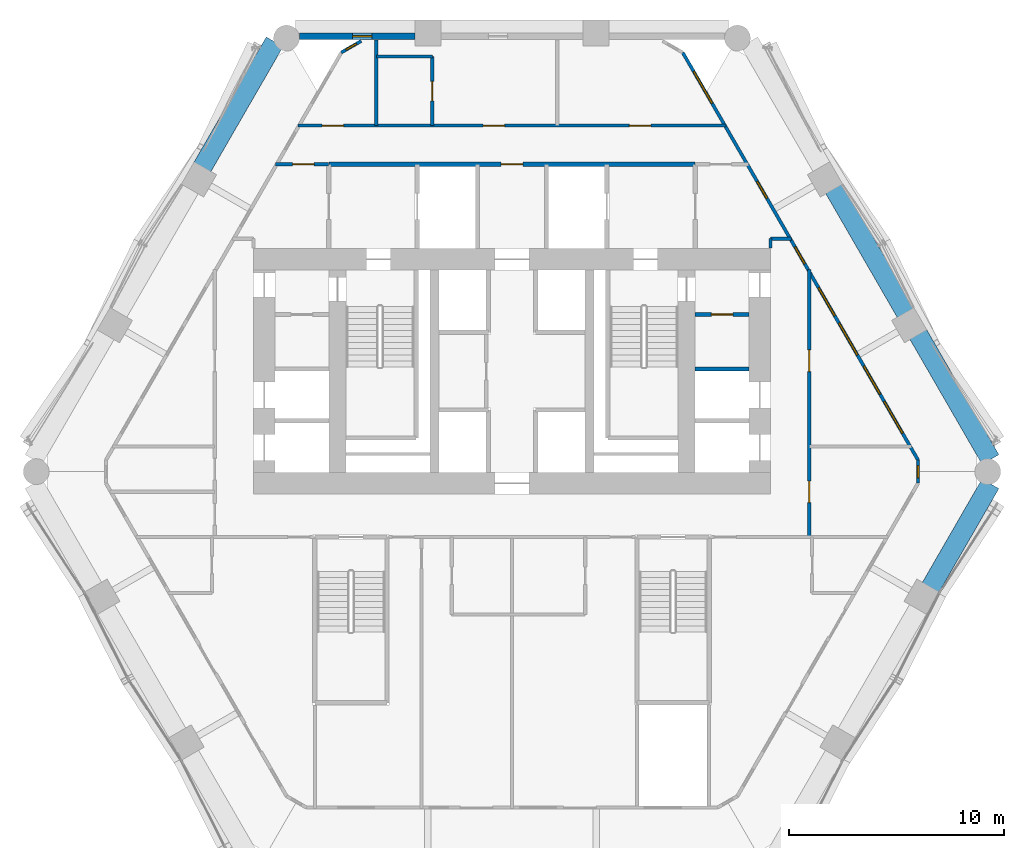
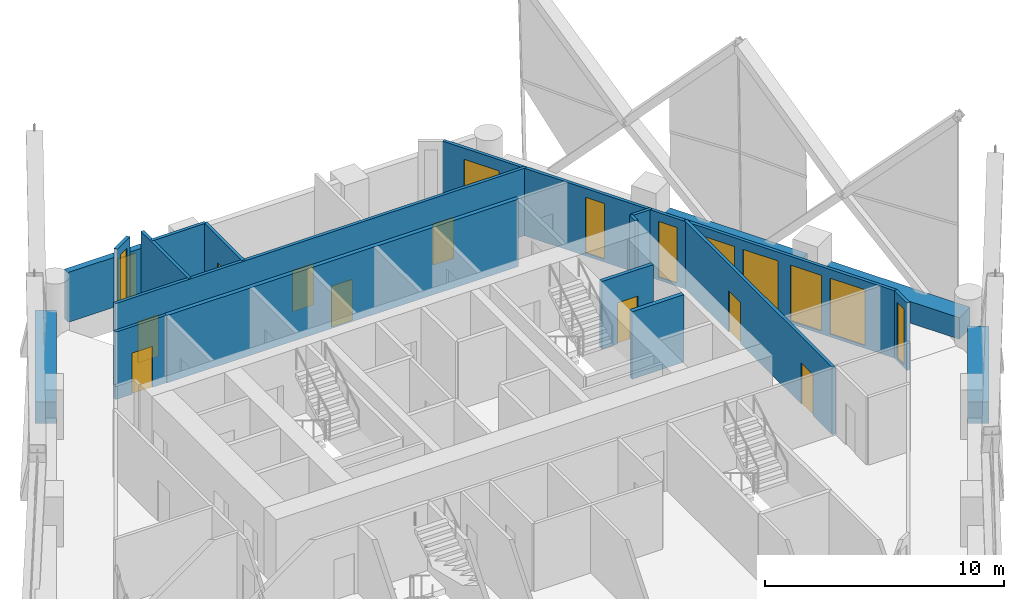
# One storey, part 15 of 21: 19 walls, 10 windows, 9 doors, 19 openings.
"""IFC4 building model written with IfcOpenShell, lengths in metres."""

from ifc_helpers import new_model, si_unit, direction, frame, frame_2d, origin, place, context, subcontext, project, spatial, rectangle, extrude, material, layer, layer_set, type_object, element, fill, save


model = new_model("IFC4")

# Units and contexts
model_context = context("Model", 3, precision=1e-05, world=origin(), true_north=direction((0.0, 1.0)))
body_context = subcontext(model_context, "Body", "Model", "MODEL_VIEW")
ifc_project = project(units=[si_unit("LENGTHUNIT", "METRE"), si_unit("AREAUNIT", "SQUARE_METRE"), si_unit("VOLUMEUNIT", "CUBIC_METRE"), si_unit("PLANEANGLEUNIT", "RADIAN"), si_unit("MASSUNIT", "GRAM", prefix="KILO")], contexts=[model_context])

# Site, building, storey
site_placement = place(None, origin())
site = spatial("IfcSite", under=ifc_project, at=site_placement, CompositionType="ELEMENT")
building_placement = place(site_placement, origin())
building = spatial("IfcBuilding", under=site, at=building_placement, Name="Ostrander Bayou Hotel Tower", CompositionType="ELEMENT")
storey_placement = place(building_placement, frame((0.0, 0.0, 116.0)))
storey = spatial("IfcBuildingStorey", under=building, at=storey_placement, Name="L28", CompositionType="ELEMENT", Elevation=116.0)

# Wall, openings, windows
ifc_material_1 = material(Name="Aluminium framed insulated wall", Category="aluminium")
ifc_layer_1 = layer(ifc_material_1, 0.14990234375)
ifc_layer_set_1 = layer_set([ifc_layer_1], Name="GW1 glass-line wall 150 mm")
wall_type_1 = type_object("IfcWallType", Name="GW1 glass-line wall 150 mm", PredefinedType="SOLIDWALL", material=ifc_layer_set_1)
wall_1_placement = place(storey_placement, frame((18.8515625, -0.133056640625, 0.0), z_axis=(0.0, 0.0, 1.0), x_axis=(-0.499994842654, 0.866028381359, 0.0)))
wall_1 = element("IfcWall", 1, at=wall_1_placement, inside=storey, type_object=wall_type_1, Name="GW1 L28 NE 1", PredefinedType="SOLIDWALL", context=body_context, shape_type="SweptSolid", body=[
    extrude(rectangle(XDim=21.853271484375, YDim=0.14990234375, at=frame_2d((10.9267578125, 0.0))), origin(), (0.0, 0.0, 1.0), 3.449951171875),
])
opening_1_placement = place(wall_1_placement, frame((1.44091796875, 0.0, 0.14990234375)))
opening_1 = element("IfcOpeningElement", 2, at=opening_1_placement, cuts=wall_1, Name="Opening W2", PredefinedType="OPENING", context=body_context, shape_type="SweptSolid", body=[
    extrude(rectangle(XDim=1.699951171875, YDim=2.85009765625, at=frame_2d((0.85009765625, 1.425048828125))), frame((0.0, 0.074951171875, 0.0), z_axis=(0.0, -1.0, 0.0), x_axis=(1.0, 0.0, 0.0)), (0.0, 0.0, 1.0), 0.14990234375),
])
opening_2_placement = place(wall_1_placement, frame((3.541015625, 0.0, 0.14990234375)))
opening_2 = element("IfcOpeningElement", 3, at=opening_2_placement, cuts=wall_1, Name="Opening W12", PredefinedType="OPENING", context=body_context, shape_type="SweptSolid", body=[
    extrude(rectangle(XDim=1.5, YDim=2.85009765625, at=frame_2d((0.75, 1.425048828125))), frame((0.0, 0.074951171875, 0.0), z_axis=(0.0, -1.0, 0.0), x_axis=(1.0, 0.0, 0.0)), (0.0, 0.0, 1.0), 0.14990234375),
])
opening_3_placement = place(wall_1_placement, frame((5.64111328125, 0.0, 0.14990234375)))
opening_3 = element("IfcOpeningElement", 4, at=opening_3_placement, cuts=wall_1, Name="Opening W2", PredefinedType="OPENING", context=body_context, shape_type="SweptSolid", body=[
    extrude(rectangle(XDim=1.699951171875, YDim=2.85009765625, at=frame_2d((0.85009765625, 1.425048828125))), frame((0.0, 0.074951171875, 0.0), z_axis=(0.0, -1.0, 0.0), x_axis=(1.0, 0.0, 0.0)), (0.0, 0.0, 1.0), 0.14990234375),
])
opening_4_placement = place(wall_1_placement, frame((7.740966796875, 0.0, 0.14990234375)))
opening_4 = element("IfcOpeningElement", 5, at=opening_4_placement, cuts=wall_1, Name="Opening W12", PredefinedType="OPENING", context=body_context, shape_type="SweptSolid", body=[
    extrude(rectangle(XDim=1.5, YDim=2.85009765625, at=frame_2d((0.75, 1.425048828125))), frame((0.0, 0.074951171875, 0.0), z_axis=(0.0, -1.0, 0.0), x_axis=(1.0, 0.0, 0.0)), (0.0, 0.0, 1.0), 0.14990234375),
])
opening_5_placement = place(wall_1_placement, frame((10.531494140625, 0.0, 0.14990234375)))
opening_5 = element("IfcOpeningElement", 6, at=opening_5_placement, cuts=wall_1, Name="Opening W16", PredefinedType="OPENING", context=body_context, shape_type="SweptSolid", body=[
    extrude(rectangle(XDim=0.89990234375, YDim=2.85009765625, at=frame_2d((0.449951171875, 1.425048828125))), frame((0.0, 0.074951171875, 0.0), z_axis=(0.0, -1.0, 0.0), x_axis=(1.0, 0.0, 0.0)), (0.0, 0.0, 1.0), 0.14990234375),
])
opening_6_placement = place(wall_1_placement, frame((14.041015625, 0.0, 0.14990234375)))
opening_6 = element("IfcOpeningElement", 7, at=opening_6_placement, cuts=wall_1, Name="Opening W16", PredefinedType="OPENING", context=body_context, shape_type="SweptSolid", body=[
    extrude(rectangle(XDim=0.89990234375, YDim=2.85009765625, at=frame_2d((0.449951171875, 1.425048828125))), frame((0.0, 0.074951171875, 0.0), z_axis=(0.0, -1.0, 0.0), x_axis=(1.0, 0.0, 0.0)), (0.0, 0.0, 1.0), 0.14990234375),
])
opening_7_placement = place(wall_1_placement, frame((19.131591796875, 0.0, 0.14990234375)))
opening_7 = element("IfcOpeningElement", 8, at=opening_7_placement, cuts=wall_1, Name="Opening W2", PredefinedType="OPENING", context=body_context, shape_type="SweptSolid", body=[
    extrude(rectangle(XDim=1.699951171875, YDim=2.72998046875, at=frame_2d((0.85009765625, 1.364990234375))), frame((0.0, 0.074951171875, 0.0), z_axis=(0.0, -1.0, 0.0), x_axis=(1.0, 0.0, 0.0)), (0.0, 0.0, 1.0), 0.14990234375),
])
ifc_material_2 = material(Name="Aluminium and clear glass", Category="aluminium")
window_type_1 = type_object("IfcWindowType", Name="W12 fixed window 1500 mm, bath bay, zone 2", PartitioningType="SINGLE_PANEL", PredefinedType="WINDOW", material=ifc_material_2)
window_1_placement = place(opening_2_placement, origin())
window_1 = element("IfcWindow", 9, at=window_1_placement, inside=storey, type_object=window_type_1, Name="W12 L28 NE 1", OverallHeight=2.85009765625, OverallWidth=1.5, PartitioningType="SINGLE_PANEL", PredefinedType="WINDOW", context=body_context, shape_type="SweptSolid", body=[
    extrude(rectangle(XDim=1.5, YDim=2.85009765625, at=frame_2d((0.75, 1.425048828125))), frame((0.0, 0.030029296875, 0.0), z_axis=(0.0, -1.0, 0.0), x_axis=(1.0, 0.0, 0.0)), (0.0, 0.0, 1.0), 0.06005859375),
])
fill(opening_2, window_1)
window_2_placement = place(opening_4_placement, origin())
window_2 = element("IfcWindow", 10, at=window_2_placement, inside=storey, type_object=window_type_1, Name="W12 L28 NE 2", OverallHeight=2.85009765625, OverallWidth=1.5, PartitioningType="SINGLE_PANEL", PredefinedType="WINDOW", context=body_context, shape_type="SweptSolid", body=[
    extrude(rectangle(XDim=1.5, YDim=2.85009765625, at=frame_2d((0.75, 1.425048828125))), frame((0.0, 0.030029296875, 0.0), z_axis=(0.0, -1.0, 0.0), x_axis=(1.0, 0.0, 0.0)), (0.0, 0.0, 1.0), 0.06005859375),
])
fill(opening_4, window_2)
ifc_material_3 = material(Name="Aluminium and clear glass", Category="aluminium")
window_type_2 = type_object("IfcWindowType", Name="W16 window 900 mm, zone 2", PartitioningType="SINGLE_PANEL", PredefinedType="WINDOW", material=ifc_material_3)
window_3_placement = place(opening_5_placement, origin())
window_3 = element("IfcWindow", 11, at=window_3_placement, inside=storey, type_object=window_type_2, Name="W16 L28 NE 3", OverallHeight=2.85009765625, OverallWidth=0.89990234375, PartitioningType="SINGLE_PANEL", PredefinedType="WINDOW", context=body_context, shape_type="SweptSolid", body=[
    extrude(rectangle(XDim=0.89990234375, YDim=2.85009765625, at=frame_2d((0.449951171875, 1.425048828125))), frame((0.0, 0.030029296875, 0.0), z_axis=(0.0, -1.0, 0.0), x_axis=(1.0, 0.0, 0.0)), (0.0, 0.0, 1.0), 0.06005859375),
])
fill(opening_5, window_3)
window_4_placement = place(opening_6_placement, origin())
window_4 = element("IfcWindow", 12, at=window_4_placement, inside=storey, type_object=window_type_2, Name="W16 L28 NE 4", OverallHeight=2.85009765625, OverallWidth=0.89990234375, PartitioningType="SINGLE_PANEL", PredefinedType="WINDOW", context=body_context, shape_type="SweptSolid", body=[
    extrude(rectangle(XDim=0.89990234375, YDim=2.85009765625, at=frame_2d((0.449951171875, 1.425048828125))), frame((0.0, 0.030029296875, 0.0), z_axis=(0.0, -1.0, 0.0), x_axis=(1.0, 0.0, 0.0)), (0.0, 0.0, 1.0), 0.06005859375),
])
fill(opening_6, window_4)
ifc_material_4 = material(Name="Aluminium and clear glass", Category="aluminium")
window_type_3 = type_object("IfcWindowType", Name="W2 fixed window 1700 mm, zone 2", PartitioningType="SINGLE_PANEL", PredefinedType="WINDOW", material=ifc_material_4)
window_5_placement = place(opening_1_placement, origin())
window_5 = element("IfcWindow", 13, at=window_5_placement, inside=storey, type_object=window_type_3, Name="W2 L28 NE 1", OverallHeight=2.85009765625, OverallWidth=1.699951171875, PartitioningType="SINGLE_PANEL", PredefinedType="WINDOW", context=body_context, shape_type="SweptSolid", body=[
    extrude(rectangle(XDim=1.699951171875, YDim=2.85009765625, at=frame_2d((0.85009765625, 1.425048828125))), frame((0.0, 0.030029296875, 0.0), z_axis=(0.0, -1.0, 0.0), x_axis=(1.0, 0.0, 0.0)), (0.0, 0.0, 1.0), 0.06005859375),
])
fill(opening_1, window_5)
window_6_placement = place(opening_3_placement, origin())
window_6 = element("IfcWindow", 14, at=window_6_placement, inside=storey, type_object=window_type_3, Name="W2 L28 NE 2", OverallHeight=2.85009765625, OverallWidth=1.699951171875, PartitioningType="SINGLE_PANEL", PredefinedType="WINDOW", context=body_context, shape_type="SweptSolid", body=[
    extrude(rectangle(XDim=1.699951171875, YDim=2.85009765625, at=frame_2d((0.85009765625, 1.425048828125))), frame((0.0, 0.030029296875, 0.0), z_axis=(0.0, -1.0, 0.0), x_axis=(1.0, 0.0, 0.0)), (0.0, 0.0, 1.0), 0.06005859375),
])
fill(opening_3, window_6)
window_7_placement = place(opening_7_placement, origin())
window_7 = element("IfcWindow", 15, at=window_7_placement, inside=storey, type_object=window_type_3, Name="W2 L28 NE E21", OverallHeight=2.72998046875, OverallWidth=1.699951171875, PartitioningType="SINGLE_PANEL", PredefinedType="WINDOW", context=body_context, shape_type="SweptSolid", body=[
    extrude(rectangle(XDim=1.699951171875, YDim=2.72998046875, at=frame_2d((0.85009765625, 1.364990234375))), frame((0.0, 0.030029296875, 0.0), z_axis=(0.0, -1.0, 0.0), x_axis=(1.0, 0.0, 0.0)), (0.0, 0.0, 1.0), 0.06005859375),
])
fill(opening_7, window_7)

# Wall, opening, window
wall_2_placement = place(storey_placement, frame((-7.002685546875, 19.324951171875, 0.0), z_axis=(0.0, 0.0, 1.0), x_axis=(-0.866048165231, -0.499960573946, 0.0)))
wall_2 = element("IfcWall", 16, at=wall_2_placement, inside=storey, type_object=wall_type_1, Name="GW1 L28 corner 1", PredefinedType="SOLIDWALL", context=body_context, shape_type="SweptSolid", body=[
    extrude(rectangle(XDim=1.06494140625, YDim=0.14990234375, at=frame_2d((0.532470703125, 0.0))), origin(), (0.0, 0.0, 1.0), 3.449951171875),
])
opening_8_placement = place(wall_2_placement, frame((0.257568359375, 0.0, 0.14990234375)))
opening_8 = element("IfcOpeningElement", 17, at=opening_8_placement, cuts=wall_2, Name="Opening W19", PredefinedType="OPENING", context=body_context, shape_type="SweptSolid", body=[
    extrude(rectangle(XDim=0.550048828125, YDim=2.85009765625, at=frame_2d((0.27490234375, 1.425048828125))), frame((0.0, 0.074951171875, 0.0), z_axis=(0.0, -1.0, 0.0), x_axis=(1.0, 0.0, 0.0)), (0.0, 0.0, 1.0), 0.14990234375),
])
ifc_material_5 = material(Name="Aluminium and clear glass", Category="aluminium")
window_type_4 = type_object("IfcWindowType", Name="W19 corner window 550 mm", PartitioningType="SINGLE_PANEL", PredefinedType="WINDOW", material=ifc_material_5)
window_8_placement = place(opening_8_placement, origin())
window_8 = element("IfcWindow", 18, at=window_8_placement, inside=storey, type_object=window_type_4, Name="W19 L28 corner 1", OverallHeight=2.85009765625, OverallWidth=0.550048828125, PartitioningType="SINGLE_PANEL", PredefinedType="WINDOW", context=body_context, shape_type="SweptSolid", body=[
    extrude(rectangle(XDim=0.550048828125, YDim=2.85009765625, at=frame_2d((0.27490234375, 1.425048828125))), frame((0.0, 0.030029296875, 0.0), z_axis=(0.0, -1.0, 0.0), x_axis=(1.0, 0.0, 0.0)), (0.0, 0.0, 1.0), 0.06005859375),
])
fill(opening_8, window_8)

wall_3_placement = place(storey_placement, frame((18.8515625, -1.197998046875, 0.0), z_axis=(0.0, 0.0, 1.0), x_axis=(0.0, 1.0, 0.0)))
wall_3 = element("IfcWall", 19, at=wall_3_placement, inside=storey, type_object=wall_type_1, Name="GW1 L28 corner 5", PredefinedType="SOLIDWALL", context=body_context, shape_type="SweptSolid", body=[
    extrude(rectangle(XDim=1.06494140625, YDim=0.14990234375, at=frame_2d((0.532470703125, 0.0))), origin(), (0.0, 0.0, 1.0), 3.449951171875),
])
opening_9_placement = place(wall_3_placement, frame((0.257568359375, 0.0, 0.14990234375)))
opening_9 = element("IfcOpeningElement", 20, at=opening_9_placement, cuts=wall_3, Name="Opening W19", PredefinedType="OPENING", context=body_context, shape_type="SweptSolid", body=[
    extrude(rectangle(XDim=0.550048828125, YDim=2.85009765625, at=frame_2d((0.27490234375, 1.425048828125))), frame((0.0, 0.074951171875, 0.0), z_axis=(0.0, -1.0, 0.0), x_axis=(1.0, 0.0, 0.0)), (0.0, 0.0, 1.0), 0.14990234375),
])
window_9_placement = place(opening_9_placement, origin())
window_9 = element("IfcWindow", 21, at=window_9_placement, inside=storey, type_object=window_type_4, Name="W19 L28 corner 5", OverallHeight=2.85009765625, OverallWidth=0.550048828125, PartitioningType="SINGLE_PANEL", PredefinedType="WINDOW", context=body_context, shape_type="SweptSolid", body=[
    extrude(rectangle(XDim=0.550048828125, YDim=2.85009765625, at=frame_2d((0.27490234375, 1.425048828125))), frame((0.0, 0.030029296875, 0.0), z_axis=(0.0, -1.0, 0.0), x_axis=(1.0, 0.0, 0.0)), (0.0, 0.0, 1.0), 0.06005859375),
])
fill(opening_9, window_9)

ifc_material_6 = material(Name="Reconstituted stone on masonry backing", Category="masonry")
ifc_layer_2 = layer(ifc_material_6, 0.300048828125)
ifc_layer_set_2 = layer_set([ifc_layer_2], Name="NW1 north stone wall 300 mm")
wall_type_2 = type_object("IfcWallType", Name="NW1 north stone wall 300 mm", PredefinedType="SOLIDWALL", material=ifc_layer_set_2)
wall_4_placement = place(storey_placement, frame((-4.506591796875, 19.550048828125, 0.0), z_axis=(0.0, 0.0, 1.0), x_axis=(-1.0, 0.0, 0.0)))
wall_4 = element("IfcWall", 22, at=wall_4_placement, inside=storey, type_object=wall_type_2, Name="NW1 L28 N-3", PredefinedType="SOLIDWALL", context=body_context, shape_type="SweptSolid", body=[
    extrude(rectangle(XDim=5.368408203125, YDim=0.300048828125, at=frame_2d((2.68408203125, 0.0))), origin(), (0.0, 0.0, 1.0), 2.550048828125),
])
opening_10_placement = place(wall_4_placement, frame((1.993408203125, 0.0, 0.14990234375)))
opening_10 = element("IfcOpeningElement", 23, at=opening_10_placement, cuts=wall_4, Name="Opening W16", PredefinedType="OPENING", context=body_context, shape_type="SweptSolid", body=[
    extrude(rectangle(XDim=0.89990234375, YDim=2.14990234375, at=frame_2d((0.449951171875, 1.074951171875))), frame((0.0, 0.14990234375, 0.0), z_axis=(0.0, -1.0, 0.0), x_axis=(1.0, 0.0, 0.0)), (0.0, 0.0, 1.0), 0.300048828125),
])
window_10_placement = place(opening_10_placement, origin())
window_10 = element("IfcWindow", 24, at=window_10_placement, inside=storey, type_object=window_type_2, Name="W16 L28 north N-3", OverallHeight=2.14990234375, OverallWidth=0.89990234375, PartitioningType="SINGLE_PANEL", PredefinedType="WINDOW", context=body_context, shape_type="SweptSolid", body=[
    extrude(rectangle(XDim=0.89990234375, YDim=2.14990234375, at=frame_2d((0.449951171875, 1.074951171875))), frame((0.0, 0.030029296875, 0.0), z_axis=(0.0, -1.0, 0.0), x_axis=(1.0, 0.0, 0.0)), (0.0, 0.0, 1.0), 0.06005859375),
])
fill(opening_10, window_10)

# Walls
ifc_material_7 = material(Name="Concrete f'c 40 MPa", Category="concrete")
ifc_layer_3 = layer(ifc_material_7, 0.89990234375)
ifc_layer_set_3 = layer_set([ifc_layer_3], Name="PA1 stone-faced parapet 900 mm")
wall_type_3 = type_object("IfcWallType", Name="PA1 stone-faced parapet 900 mm", PredefinedType="PARAPET", material=ifc_layer_set_3)
for number, where, z_axis, x_axis, name in (
    (25, (-11.017333984375, 19.286376953125, 0.0), (0.0, 0.0, 1.0), (-0.500012951941, -0.866017925849, 0.0), "PA1 L28 NW-1"),
    (26, (22.211181640625, -0.101806640625, 0.0), (0.0, 0.0, 1.0), (-0.500012951941, 0.866017925849, 0.0), "PA1 L28 NE-1"),
):
    element("IfcWall", number, at=place(storey_placement, frame(where, z_axis=z_axis, x_axis=x_axis)), inside=storey, type_object=wall_type_3, Name=name, PredefinedType="PARAPET", context=body_context, shape_type="SweptSolid", body=[
        extrude(rectangle(XDim=6.717041015625, YDim=0.89990234375, at=frame_2d((3.3583984375, 0.0))), origin(), (0.0, 0.0, 1.0), 1.10009765625),
    ])
wall_5_placement = place(storey_placement, frame((18.28271484375, 6.702392578125, 0.0), z_axis=(0.0, 0.0, 1.0), x_axis=(-0.50001062018, 0.866019272134, 0.0)))
element("IfcWall", 27, at=wall_5_placement, inside=storey, type_object=wall_type_3, Name="PA1 L28 NE-2", PredefinedType="PARAPET", context=body_context, shape_type="SweptSolid", body=[
    extrude(rectangle(XDim=6.673583984375, YDim=0.89990234375, at=frame_2d((3.3369140625, 0.0))), origin(), (0.0, 0.0, 1.0), 1.10009765625),
])
ifc_material_8 = material(Name="Limestone masonry", Category="masonry")
ifc_layer_4 = layer(ifc_material_8, 0.89990234375)
ifc_layer_set_4 = layer_set([ifc_layer_4], Name="PA2 limestone parapet 900 mm")
wall_type_4 = type_object("IfcWallType", Name="PA2 limestone parapet 900 mm", PredefinedType="PARAPET", material=ifc_layer_set_4)
wall_6_placement = place(storey_placement, frame((19.428955078125, -6.048095703125, 0.0), z_axis=(0.0, 0.0, 1.0), x_axis=(0.49998957009, 0.866031425412, 0.0)))
element("IfcWall", 28, at=wall_6_placement, inside=storey, type_object=wall_type_4, Name="PA2 L28 SE-3", PredefinedType="PARAPET", context=body_context, shape_type="SweptSolid", body=[
    extrude(rectangle(XDim=5.564453125, YDim=0.89990234375, at=frame_2d((2.7822265625, 0.0))), origin(), (0.0, 0.0, 1.0), 1.10009765625),
])

# Wall, opening, door
ifc_material_9 = material(Name="Gypsum board partition", Category="finish")
ifc_layer_5 = layer(ifc_material_9, 0.175048828125)
ifc_layer_set_5 = layer_set([ifc_layer_5], Name="PT4 corridor wall 175 mm, 1 hour")
wall_type_5 = type_object("IfcWallType", Name="PT4 corridor wall 175 mm, 1 hour", PredefinedType="PARTITIONING", material=ifc_layer_set_5)
wall_7_placement = place(storey_placement, frame((8.5, 6.6298828125, 0.0), z_axis=(0.0, 0.0, 1.0), x_axis=(1.0, 0.0, 0.0)))
wall_7 = element("IfcWall", 29, at=wall_7_placement, inside=storey, type_object=wall_type_5, Name="cs:L28:038", PredefinedType="PARTITIONING", context=body_context, shape_type="SweptSolid", body=[
    extrude(rectangle(XDim=2.5, YDim=0.175048828125, at=frame_2d((1.25, 0.0))), origin(), (0.0, 0.0, 1.0), 3.449951171875),
])
opening_11_placement = place(wall_7_placement, frame((0.75, 0.0, 0.0)))
opening_11 = element("IfcOpeningElement", 30, at=opening_11_placement, cuts=wall_7, Name="Opening T28-019", PredefinedType="OPENING", context=body_context, shape_type="SweptSolid", body=[
    extrude(rectangle(XDim=1.0, YDim=2.10009765625, at=frame_2d((0.5, 1.050048828125))), frame((0.0, 0.08740234375, 0.0), z_axis=(0.0, -1.0, 0.0), x_axis=(1.0, 0.0, 0.0)), (0.0, 0.0, 1.0), 0.175048828125),
])
ifc_material_10 = material(Name="Timber door leaf", Category="wood")
door_type_1 = type_object("IfcDoorType", Name="D4 corridor door 1000 x 2100 mm, 1 hour", OperationType="SINGLE_SWING_LEFT", PredefinedType="DOOR", material=ifc_material_10)
door_1_placement = place(opening_11_placement, origin())
door_1 = element("IfcDoor", 31, at=door_1_placement, inside=storey, type_object=door_type_1, Name="dr:L28:019", OperationType="SINGLE_SWING_RIGHT", OverallHeight=2.10009765625, OverallWidth=1.0, PredefinedType="DOOR", context=body_context, shape_type="SweptSolid", body=[
    extrude(rectangle(XDim=1.0, YDim=2.10009765625, at=frame_2d((0.5, 1.050048828125))), frame((0.0, 0.02490234375, 0.0), z_axis=(0.0, -1.0, 0.0), x_axis=(1.0, 0.0, 0.0)), (0.0, 0.0, 1.0), 0.050048828125),
])
fill(opening_11, door_1)

ifc_material_11 = material(Name="Masonry block", Category="masonry")
ifc_layer_6 = layer(ifc_material_11, 0.199951171875)
ifc_layer_set_6 = layer_set([ifc_layer_6], Name="PT5 stair enclosure wall 200 mm masonry, 2 hour")
wall_type_6 = type_object("IfcWallType", Name="PT5 stair enclosure wall 200 mm masonry, 2 hour", PredefinedType="PARTITIONING", material=ifc_layer_set_6)
wall_8_placement = place(storey_placement, frame((-8.5, 13.60009765625, 0.0), z_axis=(0.0, 0.0, 1.0), x_axis=(1.0, 0.0, 0.0)))
wall_8 = element("IfcWall", 32, at=wall_8_placement, inside=storey, type_object=wall_type_6, Name="cs:L28:025", PredefinedType="PARTITIONING", context=body_context, shape_type="SweptSolid", body=[
    extrude(rectangle(XDim=17.0, YDim=0.199951171875, at=frame_2d((8.5, 0.0))), origin(), (0.0, 0.0, 1.0), 3.449951171875),
])
opening_12_placement = place(wall_8_placement, frame((8.0, 0.0, 0.0)))
opening_12 = element("IfcOpeningElement", 33, at=opening_12_placement, cuts=wall_8, Name="Opening T28-013", PredefinedType="OPENING", context=body_context, shape_type="SweptSolid", body=[
    extrude(rectangle(XDim=1.0, YDim=2.10009765625, at=frame_2d((0.5, 1.050048828125))), frame((0.0, 0.10009765625, 0.0), z_axis=(0.0, -1.0, 0.0), x_axis=(1.0, 0.0, 0.0)), (0.0, 0.0, 1.0), 0.199951171875),
])
ifc_material_12 = material(Name="Timber door leaf", Category="wood")
door_type_2 = type_object("IfcDoorType", Name="D9 service door 1000 x 2100 mm, 30 minute", OperationType="SINGLE_SWING_LEFT", PredefinedType="DOOR", material=ifc_material_12)
door_2_placement = place(opening_12_placement, origin())
door_2 = element("IfcDoor", 34, at=door_2_placement, inside=storey, type_object=door_type_2, Name="dr:L28:013", OperationType="SINGLE_SWING_LEFT", OverallHeight=2.10009765625, OverallWidth=1.0, PredefinedType="DOOR", context=body_context, shape_type="SweptSolid", body=[
    extrude(rectangle(XDim=1.0, YDim=2.10009765625, at=frame_2d((0.5, 1.050048828125))), frame((0.0, 0.02490234375, 0.0), z_axis=(0.0, -1.0, 0.0), x_axis=(1.0, 0.0, 0.0)), (0.0, 0.0, 1.0), 0.050048828125),
])
fill(opening_12, door_2)

# Walls
ifc_material_13 = material(Name="Masonry block", Category="masonry")
ifc_layer_7 = layer(ifc_material_13, 0.199951171875)
ifc_layer_set_7 = layer_set([ifc_layer_7], Name="PT6 lift shaft wall 200 mm masonry, 2 hour")
wall_type_7 = type_object("IfcWallType", Name="PT6 lift shaft wall 200 mm masonry, 2 hour", PredefinedType="PARTITIONING", material=ifc_layer_set_7)
wall_9_placement = place(storey_placement, frame((8.5, 4.10009765625, 0.0), z_axis=(0.0, 0.0, 1.0), x_axis=(1.0, 0.0, 0.0)))
element("IfcWall", 35, at=wall_9_placement, inside=storey, type_object=wall_type_7, Name="cs:L28:037", PredefinedType="PARTITIONING", context=body_context, shape_type="SweptSolid", body=[
    extrude(rectangle(XDim=2.5, YDim=0.199951171875, at=frame_2d((1.25, 0.0))), origin(), (0.0, 0.0, 1.0), 3.449951171875),
])
ifc_material_14 = material(Name="Gypsum board partition", Category="finish")
ifc_layer_8 = layer(ifc_material_14, 0.14990234375)
ifc_layer_set_8 = layer_set([ifc_layer_8], Name="PT8 service band wall 150 mm, 1 hour")
wall_type_8 = type_object("IfcWallType", Name="PT8 service band wall 150 mm, 1 hour", PredefinedType="PARTITIONING", material=ifc_layer_set_8)
wall_10_placement = place(storey_placement, frame((12.0, 10.14990234375, 0.0), z_axis=(0.0, 0.0, 1.0), x_axis=(1.0, 0.0, 0.0)))
element("IfcWall", 36, at=wall_10_placement, inside=storey, type_object=wall_type_8, Name="gw:L28:011", PredefinedType="PARTITIONING", context=body_context, shape_type="SweptSolid", body=[
    extrude(rectangle(XDim=0.967041015625, YDim=0.14990234375, at=frame_2d((0.4833984375, 0.0))), origin(), (0.0, 0.0, 1.0), 3.449951171875),
])

# Wall, opening, door
wall_11_placement = place(storey_placement, frame((-10.97509765625, 13.60009765625, 0.0), z_axis=(0.0, 0.0, 1.0), x_axis=(1.0, 0.0, 0.0)))
wall_11 = element("IfcWall", 37, at=wall_11_placement, inside=storey, type_object=wall_type_8, Name="gw:L28:012", PredefinedType="PARTITIONING", context=body_context, shape_type="SweptSolid", body=[
    extrude(rectangle(XDim=2.465087890625, YDim=0.14990234375, at=frame_2d((1.232421875, 0.0))), origin(), (0.0, 0.0, 1.0), 3.449951171875),
])
opening_13_placement = place(wall_11_placement, frame((0.794921875, 0.0, 0.0)))
opening_13 = element("IfcOpeningElement", 38, at=opening_13_placement, cuts=wall_11, Name="Opening T28-418", PredefinedType="OPENING", context=body_context, shape_type="SweptSolid", body=[
    extrude(rectangle(XDim=1.0, YDim=2.10009765625, at=frame_2d((0.5, 1.050048828125))), frame((0.0, 0.074951171875, 0.0), z_axis=(0.0, -1.0, 0.0), x_axis=(1.0, 0.0, 0.0)), (0.0, 0.0, 1.0), 0.14990234375),
])
door_3_placement = place(opening_13_placement, origin())
door_3 = element("IfcDoor", 39, at=door_3_placement, inside=storey, type_object=door_type_2, Name="dr:L28:418", OperationType="SINGLE_SWING_RIGHT", OverallHeight=2.10009765625, OverallWidth=1.0, PredefinedType="DOOR", context=body_context, shape_type="SweptSolid", body=[
    extrude(rectangle(XDim=1.0, YDim=2.10009765625, at=frame_2d((0.5, 1.050048828125))), frame((0.0, 0.02490234375, 0.0), z_axis=(0.0, -1.0, 0.0), x_axis=(1.0, 0.0, 0.0)), (0.0, 0.0, 1.0), 0.050048828125),
])
fill(opening_13, door_3)

# Wall, openings, doors
wall_12_placement = place(storey_placement, frame((-9.93603515625, 15.39990234375, 0.0), z_axis=(0.0, 0.0, 1.0), x_axis=(1.0, 0.0, 0.0)))
wall_12 = element("IfcWall", 40, at=wall_12_placement, inside=storey, type_object=wall_type_8, Name="gw:L28:014", PredefinedType="PARTITIONING", context=body_context, shape_type="SweptSolid", body=[
    extrude(rectangle(XDim=19.8720703125, YDim=0.14990234375, at=frame_2d((9.93603515625, 0.0))), origin(), (0.0, 0.0, 1.0), 3.449951171875),
])
opening_14_placement = place(wall_12_placement, frame((1.117919921875, 0.0, 0.0)))
opening_14 = element("IfcOpeningElement", 41, at=opening_14_placement, cuts=wall_12, Name="Opening T28-414", PredefinedType="OPENING", context=body_context, shape_type="SweptSolid", body=[
    extrude(rectangle(XDim=1.0, YDim=2.10009765625, at=frame_2d((0.5, 1.050048828125))), frame((0.0, 0.074951171875, 0.0), z_axis=(0.0, -1.0, 0.0), x_axis=(1.0, 0.0, 0.0)), (0.0, 0.0, 1.0), 0.14990234375),
])
opening_15_placement = place(wall_12_placement, frame((8.595947265625, 0.0, 0.0)))
opening_15 = element("IfcOpeningElement", 42, at=opening_15_placement, cuts=wall_12, Name="Opening T28-415", PredefinedType="OPENING", context=body_context, shape_type="SweptSolid", body=[
    extrude(rectangle(XDim=1.0, YDim=2.10009765625, at=frame_2d((0.5, 1.050048828125))), frame((0.0, 0.074951171875, 0.0), z_axis=(0.0, -1.0, 0.0), x_axis=(1.0, 0.0, 0.0)), (0.0, 0.0, 1.0), 0.14990234375),
])
opening_16_placement = place(wall_12_placement, frame((15.383056640625, 0.0, 0.0)))
opening_16 = element("IfcOpeningElement", 43, at=opening_16_placement, cuts=wall_12, Name="Opening T28-417", PredefinedType="OPENING", context=body_context, shape_type="SweptSolid", body=[
    extrude(rectangle(XDim=1.0, YDim=2.10009765625, at=frame_2d((0.5, 1.050048828125))), frame((0.0, 0.074951171875, 0.0), z_axis=(0.0, -1.0, 0.0), x_axis=(1.0, 0.0, 0.0)), (0.0, 0.0, 1.0), 0.14990234375),
])
ifc_material_15 = material(Name="Timber door leaf", Category="wood")
door_type_3 = type_object("IfcDoorType", Name="D15 room door 1000 x 2100 mm", OperationType="SINGLE_SWING_LEFT", PredefinedType="DOOR", material=ifc_material_15)
door_4_placement = place(opening_14_placement, origin())
door_4 = element("IfcDoor", 44, at=door_4_placement, inside=storey, type_object=door_type_3, Name="dr:L28:414", OperationType="SINGLE_SWING_LEFT", OverallHeight=2.10009765625, OverallWidth=1.0, PredefinedType="DOOR", context=body_context, shape_type="SweptSolid", body=[
    extrude(rectangle(XDim=1.0, YDim=2.10009765625, at=frame_2d((0.5, 1.050048828125))), frame((0.0, 0.02490234375, 0.0), z_axis=(0.0, -1.0, 0.0), x_axis=(1.0, 0.0, 0.0)), (0.0, 0.0, 1.0), 0.050048828125),
])
fill(opening_14, door_4)
door_5_placement = place(opening_15_placement, origin())
door_5 = element("IfcDoor", 45, at=door_5_placement, inside=storey, type_object=door_type_3, Name="dr:L28:415", OperationType="SINGLE_SWING_RIGHT", OverallHeight=2.10009765625, OverallWidth=1.0, PredefinedType="DOOR", context=body_context, shape_type="SweptSolid", body=[
    extrude(rectangle(XDim=1.0, YDim=2.10009765625, at=frame_2d((0.5, 1.050048828125))), frame((0.0, 0.02490234375, 0.0), z_axis=(0.0, -1.0, 0.0), x_axis=(1.0, 0.0, 0.0)), (0.0, 0.0, 1.0), 0.050048828125),
])
fill(opening_15, door_5)
door_6_placement = place(opening_16_placement, origin())
door_6 = element("IfcDoor", 46, at=door_6_placement, inside=storey, type_object=door_type_2, Name="dr:L28:417", OperationType="SINGLE_SWING_LEFT", OverallHeight=2.10009765625, OverallWidth=1.0, PredefinedType="DOOR", context=body_context, shape_type="SweptSolid", body=[
    extrude(rectangle(XDim=1.0, YDim=2.10009765625, at=frame_2d((0.5, 1.050048828125))), frame((0.0, 0.02490234375, 0.0), z_axis=(0.0, -1.0, 0.0), x_axis=(1.0, 0.0, 0.0)), (0.0, 0.0, 1.0), 0.050048828125),
])
fill(opening_16, door_6)

# Wall
wall_13_placement = place(storey_placement, frame((-6.300048828125, 18.60009765625, 0.0), z_axis=(0.0, 0.0, 1.0), x_axis=(1.0, 0.0, 0.0)))
element("IfcWall", 47, at=wall_13_placement, inside=storey, type_object=wall_type_8, Name="gw:L28:015", PredefinedType="PARTITIONING", context=body_context, shape_type="SweptSolid", body=[
    extrude(rectangle(XDim=2.60009765625, YDim=0.14990234375, at=frame_2d((1.300048828125, 0.0))), origin(), (0.0, 0.0, 1.0), 3.449951171875),
])

# Wall, openings, doors
wall_14_placement = place(storey_placement, frame((13.800048828125, -3.699951171875, 0.0), z_axis=(0.0, 0.0, 1.0), x_axis=(0.0, 1.0, 0.0)))
wall_14 = element("IfcWall", 48, at=wall_14_placement, inside=storey, type_object=wall_type_8, Name="gw:L28:017", PredefinedType="PARTITIONING", context=body_context, shape_type="SweptSolid", body=[
    extrude(rectangle(XDim=12.406982421875, YDim=0.14990234375, at=frame_2d((6.20361328125, 0.0))), origin(), (0.0, 0.0, 1.0), 3.449951171875),
])
opening_17_placement = place(wall_14_placement, frame((1.60009765625, 0.0, 0.0)))
opening_17 = element("IfcOpeningElement", 49, at=opening_17_placement, cuts=wall_14, Name="Opening T28-412", PredefinedType="OPENING", context=body_context, shape_type="SweptSolid", body=[
    extrude(rectangle(XDim=1.0, YDim=2.10009765625, at=frame_2d((0.5, 1.050048828125))), frame((0.0, 0.074951171875, 0.0), z_axis=(0.0, -1.0, 0.0), x_axis=(1.0, 0.0, 0.0)), (0.0, 0.0, 1.0), 0.14990234375),
])
opening_18_placement = place(wall_14_placement, frame((7.68310546875, 0.0, 0.0)))
opening_18 = element("IfcOpeningElement", 50, at=opening_18_placement, cuts=wall_14, Name="Opening T28-413", PredefinedType="OPENING", context=body_context, shape_type="SweptSolid", body=[
    extrude(rectangle(XDim=1.0, YDim=2.10009765625, at=frame_2d((0.5, 1.050048828125))), frame((0.0, 0.074951171875, 0.0), z_axis=(0.0, -1.0, 0.0), x_axis=(1.0, 0.0, 0.0)), (0.0, 0.0, 1.0), 0.14990234375),
])
door_7_placement = place(opening_17_placement, origin())
door_7 = element("IfcDoor", 51, at=door_7_placement, inside=storey, type_object=door_type_2, Name="dr:L28:412", OperationType="SINGLE_SWING_LEFT", OverallHeight=2.10009765625, OverallWidth=1.0, PredefinedType="DOOR", context=body_context, shape_type="SweptSolid", body=[
    extrude(rectangle(XDim=1.0, YDim=2.10009765625, at=frame_2d((0.5, 1.050048828125))), frame((0.0, 0.02490234375, 0.0), z_axis=(0.0, -1.0, 0.0), x_axis=(1.0, 0.0, 0.0)), (0.0, 0.0, 1.0), 0.050048828125),
])
fill(opening_17, door_7)
door_8_placement = place(opening_18_placement, origin())
door_8 = element("IfcDoor", 52, at=door_8_placement, inside=storey, type_object=door_type_2, Name="dr:L28:413", OperationType="SINGLE_SWING_LEFT", OverallHeight=2.10009765625, OverallWidth=1.0, PredefinedType="DOOR", context=body_context, shape_type="SweptSolid", body=[
    extrude(rectangle(XDim=1.0, YDim=2.10009765625, at=frame_2d((0.5, 1.050048828125))), frame((0.0, 0.02490234375, 0.0), z_axis=(0.0, -1.0, 0.0), x_axis=(1.0, 0.0, 0.0)), (0.0, 0.0, 1.0), 0.050048828125),
])
fill(opening_18, door_8)

# Wall
wall_15_placement = place(storey_placement, frame((12.0, 9.7099609375, 0.0), z_axis=(0.0, 0.0, 1.0), x_axis=(0.0, 1.0, 0.0)))
element("IfcWall", 53, at=wall_15_placement, inside=storey, type_object=wall_type_8, Name="gw:L28:018", PredefinedType="PARTITIONING", context=body_context, shape_type="SweptSolid", body=[
    extrude(rectangle(XDim=0.43994140625, YDim=0.14990234375, at=frame_2d((0.219970703125, 0.0))), origin(), (0.0, 0.0, 1.0), 3.449951171875),
])

# Wall, opening, door
wall_16_placement = place(storey_placement, frame((-3.699951171875, 15.39990234375, 0.0), z_axis=(0.0, 0.0, 1.0), x_axis=(0.0, 1.0, 0.0)))
wall_16 = element("IfcWall", 54, at=wall_16_placement, inside=storey, type_object=wall_type_8, Name="gw:L28:025", PredefinedType="PARTITIONING", context=body_context, shape_type="SweptSolid", body=[
    extrude(rectangle(XDim=3.2001953125, YDim=0.14990234375, at=frame_2d((1.60009765625, 0.0))), origin(), (0.0, 0.0, 1.0), 3.449951171875),
])
opening_19_placement = place(wall_16_placement, frame((1.14990234375, 0.0, 0.0)))
opening_19 = element("IfcOpeningElement", 55, at=opening_19_placement, cuts=wall_16, Name="Opening T28-416", PredefinedType="OPENING", context=body_context, shape_type="SweptSolid", body=[
    extrude(rectangle(XDim=0.89990234375, YDim=2.10009765625, at=frame_2d((0.449951171875, 1.050048828125))), frame((0.0, 0.074951171875, 0.0), z_axis=(0.0, -1.0, 0.0), x_axis=(1.0, 0.0, 0.0)), (0.0, 0.0, 1.0), 0.14990234375),
])
ifc_material_16 = material(Name="Timber door leaf", Category="wood")
door_type_4 = type_object("IfcDoorType", Name="D8 room door 900 x 2100 mm", OperationType="SINGLE_SWING_LEFT", PredefinedType="DOOR", material=ifc_material_16)
door_9_placement = place(opening_19_placement, origin())
door_9 = element("IfcDoor", 56, at=door_9_placement, inside=storey, type_object=door_type_4, Name="dr:L28:416", OperationType="SINGLE_SWING_LEFT", OverallHeight=2.10009765625, OverallWidth=0.89990234375, PredefinedType="DOOR", context=body_context, shape_type="SweptSolid", body=[
    extrude(rectangle(XDim=0.89990234375, YDim=2.10009765625, at=frame_2d((0.449951171875, 1.050048828125))), frame((0.0, 0.02490234375, 0.0), z_axis=(0.0, -1.0, 0.0), x_axis=(1.0, 0.0, 0.0)), (0.0, 0.0, 1.0), 0.050048828125),
])
fill(opening_19, door_9)

# Wall
wall_17_placement = place(storey_placement, frame((-6.300048828125, 15.39990234375, 0.0), z_axis=(0.0, 0.0, 1.0), x_axis=(0.0, 1.0, 0.0)))
element("IfcWall", 57, at=wall_17_placement, inside=storey, type_object=wall_type_8, Name="gw:L28:027", PredefinedType="PARTITIONING", context=body_context, shape_type="SweptSolid", body=[
    extrude(rectangle(XDim=3.97021484375, YDim=0.14990234375, at=frame_2d((1.985107421875, 0.0))), origin(), (0.0, 0.0, 1.0), 3.449951171875),
])

save(model, "model.ifc")
